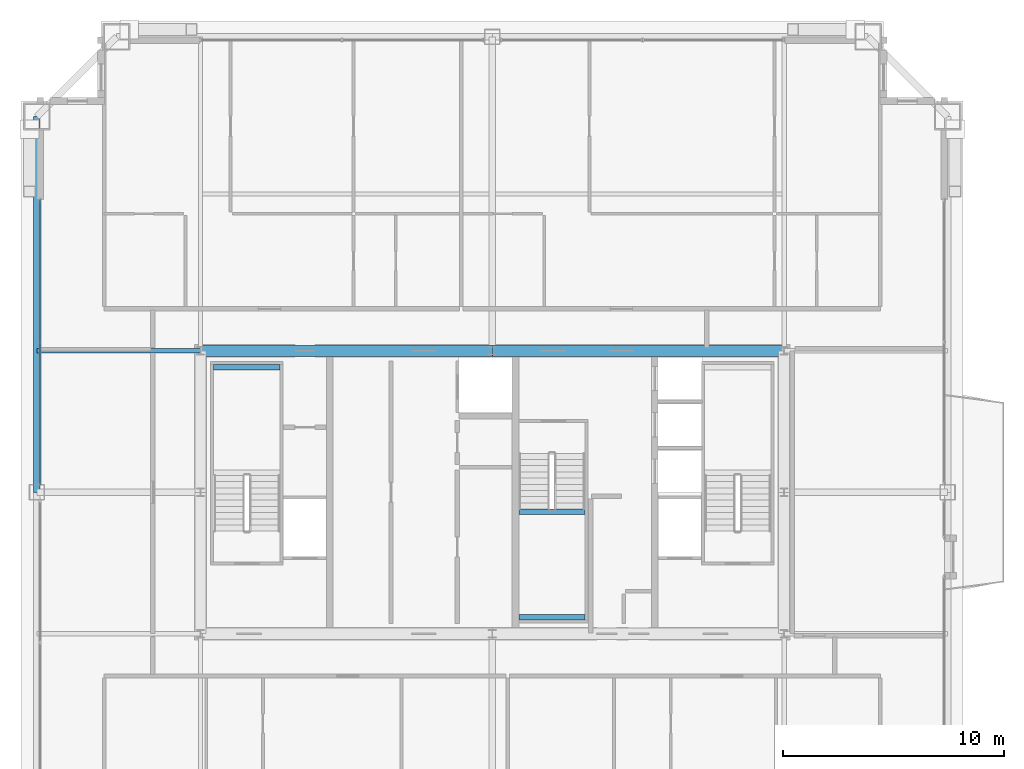
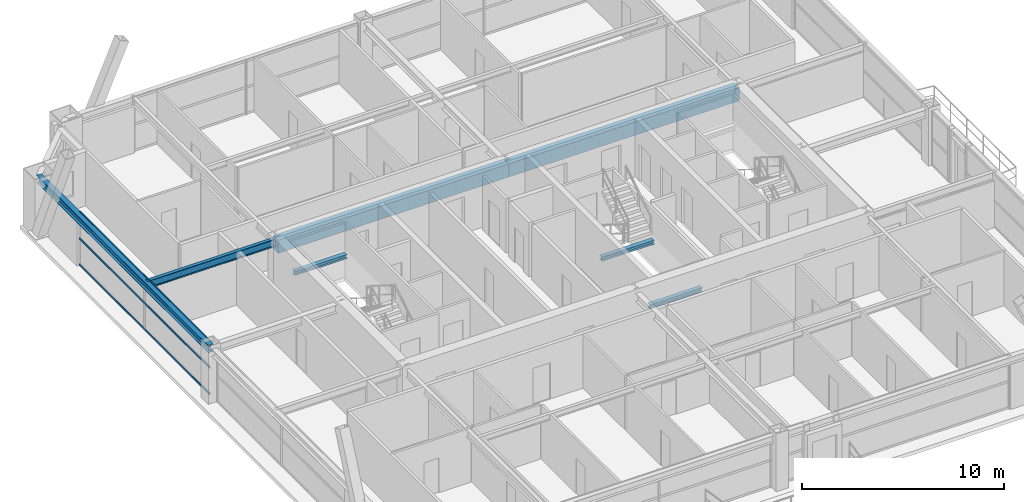
# One storey, part 14 of 37: 7 beams, 3 members, 1 element without a shape of its own.
"""IFC4 building model written with IfcOpenShell, lengths in metres."""

from ifc_helpers import new_model, si_unit, direction, frame, origin, origin_2d, place, context, subcontext, project, spatial, rectangle, hollow_rectangle, i_section, extrude, source, transform, mapped, material, layer, layer_set, material_profile, profile_set, type_object, element, aggregate, save


model = new_model("IFC4")

# Units and contexts
model_context = context("Model", 3, precision=1e-05, world=origin(), true_north=direction((0.0, 1.0)))
body_context = subcontext(model_context, "Body", "Model", "MODEL_VIEW")
ifc_project = project(units=[si_unit("LENGTHUNIT", "METRE"), si_unit("AREAUNIT", "SQUARE_METRE"), si_unit("VOLUMEUNIT", "CUBIC_METRE"), si_unit("PLANEANGLEUNIT", "RADIAN"), si_unit("MASSUNIT", "GRAM", prefix="KILO"), si_unit("THERMODYNAMICTEMPERATUREUNIT", "KELVIN"), si_unit("POWERUNIT", "WATT")], contexts=[model_context])

# Site, building, storey
site_placement = place(None, origin())
site = spatial("IfcSite", under=ifc_project, at=site_placement, CompositionType="ELEMENT")
building_placement = place(site_placement, origin())
building = spatial("IfcBuilding", under=site, at=building_placement, Name="Yuzanri Waterfront Tower", CompositionType="ELEMENT")
storey_placement = place(building_placement, frame((0.0, 0.0, 278.60009765625)))
storey = spatial("IfcBuildingStorey", under=building, at=storey_placement, Name="L74", CompositionType="ELEMENT", Elevation=278.60009765625)

# Beams
ifc_material_1 = material(Name="Concrete C50", Category="concrete")
ifc_material_profile_1 = material_profile(ifc_material_1, rectangle(XDim=0.5, YDim=0.800048828125, at=origin_2d()), Name="RC 500x800")
ifc_profile_set_1 = profile_set([ifc_material_profile_1], Name="Concrete C50")
beam_type_1 = type_object("IfcBeamType", Name="Core Coupling Lintel Concrete C50 500x800", PredefinedType="LINTEL", material=ifc_profile_set_1)
shared_shape_1 = source(origin(), body_context, "Body", "SweptSolid", [
    extrude(rectangle(XDim=0.5, YDim=0.800048828125, at=origin_2d()), origin(), (0.0, 0.0, 1.0), 13.199951171875),
])
for number, where, z_axis, x_axis, name in (
    (1, (23.800048828125, 32.199951171875, 2.8798828125), (1.0, 0.0, 0.0), (0.0, 1.0, 0.0), "L74 Core Tie Beam CN1"),
    (2, (37.0, 32.199951171875, 2.8798828125), (1.0, 0.0, 0.0), (0.0, 1.0, 0.0), "L74 Core Tie Beam CN2"),
):
    element("IfcBeam", number, at=place(storey_placement, frame(where, z_axis=z_axis, x_axis=x_axis)), inside=storey, type_object=beam_type_1, Name=name, PredefinedType="LINTEL", context=body_context, shape_type="MappedRepresentation", body=[
        mapped(shared_shape_1, transform((0.0, 0.0, 0.0), scale=1.0)),
    ])
ifc_material_2 = material(Name="Steel Q355B", Category="steel")
ifc_material_profile_2 = material_profile(ifc_material_2, i_section(OverallWidth=0.300048828125, OverallDepth=0.43994140625, WebThickness=0.010986328125, FlangeThickness=0.01806640625, at=origin_2d()), Name="HM 440x300x11x18")
ifc_profile_set_2 = profile_set([ifc_material_profile_2], Name="Steel Q355B")
beam_type_2 = type_object("IfcBeamType", Name="Perimeter Spandrel Q355B HM 440x300", PredefinedType="SPANDREL", material=ifc_profile_set_2)
shared_shape_2 = source(origin(), body_context, "Body", "SweptSolid", [
    extrude(i_section(OverallWidth=0.300048828125, OverallDepth=0.43994140625, WebThickness=0.010986328125, FlangeThickness=0.01806640625, at=origin_2d()), origin(), (0.0, 0.0, 1.0), 17.0),
])
beam_1_placement = place(storey_placement, frame((16.39990234375, 42.800048828125, 3.059814453125), z_axis=(0.0, -1.0, 0.0), x_axis=(1.0, 0.0, 0.0)))
element("IfcBeam", 3, at=beam_1_placement, inside=storey, type_object=beam_type_2, Name="L74 Perimeter Spandrel W3-W2", PredefinedType="SPANDREL", context=body_context, shape_type="MappedRepresentation", body=[
    mapped(shared_shape_2, transform((0.0, 0.0, 0.0), scale=1.0)),
])
ifc_material_3 = material(Name="Steel Q355B", Category="steel")
ifc_material_profile_3 = material_profile(ifc_material_3, i_section(OverallWidth=0.199951171875, OverallDepth=0.449951171875, WebThickness=0.009033203125, FlangeThickness=0.013916015625, at=origin_2d()), Name="HN 450x200x9x14")
ifc_profile_set_3 = profile_set([ifc_material_profile_3], Name="Steel Q355B")
beam_type_3 = type_object("IfcBeamType", Name="Secondary Floor Beam Q355B HN 450x200", PredefinedType="BEAM", material=ifc_profile_set_3)
shared_shape_3 = source(origin(), body_context, "Body", "SweptSolid", [
    extrude(i_section(OverallWidth=0.199951171875, OverallDepth=0.449951171875, WebThickness=0.009033203125, FlangeThickness=0.013916015625, at=origin_2d()), origin(), (0.0, 0.0, 1.0), 7.400146484375),
])
beam_2_placement = place(storey_placement, frame((23.800048828125, 32.199951171875, 3.054931640625), z_axis=(-1.0, 0.0, 0.0), x_axis=(0.0, -1.0, 0.0)))
element("IfcBeam", 4, at=beam_2_placement, inside=storey, type_object=beam_type_3, Name="L74 West-North Core Line Beam", PredefinedType="BEAM", context=body_context, shape_type="MappedRepresentation", body=[
    mapped(shared_shape_3, transform((0.0, 0.0, 0.0), scale=1.0)),
])

# Curtain wall, members
ifc_material_4 = material(Name="Anodized Architectural Bronze", Category="metal")
ifc_layer = layer(ifc_material_4, 0.159912109375)
ifc_layer_set = layer_set([ifc_layer], Name="Anodized Architectural Bronze")
curtain_wall_type = type_object("IfcCurtainWallType", Name="Anodized Bronze Mid-Rise Residential Acoustic Unitized Curtain Wall 7200", PredefinedType="NOTDEFINED", material=ifc_layer_set)
curtain_wall_placement = place(storey_placement, origin())
curtain_wall = element("IfcCurtainWall", 5, at=curtain_wall_placement, inside=storey, type_object=curtain_wall_type, Name="L74 Curtain Wall CW-L74-WR", PredefinedType="NOTDEFINED")
ifc_material_5 = material(Name="Anodized Architectural Bronze", Category="metal")
ifc_material_profile_4 = material_profile(ifc_material_5, hollow_rectangle(XDim=0.06494140625, YDim=0.1201171875, WallThickness=0.00341796875, at=origin_2d()), Name="CWT 65x120")
ifc_profile_set_4 = profile_set([ifc_material_profile_4], Name="Anodized Architectural Bronze")
member_type = type_object("IfcMemberType", Name="Anodized Bronze Secondary Curtain-Wall Transom 65x120", PredefinedType="USERDEFINED", material=ifc_profile_set_4)
shared_shape_4 = source(origin(), body_context, "Body", "SweptSolid", [
    extrude(hollow_rectangle(XDim=0.06494140625, YDim=0.1201171875, WallThickness=0.00341796875, at=origin_2d()), origin(), (0.0, 0.0, 1.0), 12.900146484375),
])
member_1_placement = place(storey_placement, frame((16.550048828125, 26.14990234375, 0.0498046875), z_axis=(0.0, 1.0, 0.0), x_axis=(-1.0, 0.0, 0.0)))
member_1 = element("IfcMember", 6, at=member_1_placement, type_object=member_type, Name="CW-L74-WR Transom 1", ObjectType="TRANSOM", PredefinedType="USERDEFINED", context=body_context, shape_type="MappedRepresentation", body=[
    mapped(shared_shape_4, transform((0.0, 0.0, 0.0), scale=1.0)),
])
member_2_placement = place(storey_placement, frame((16.550048828125, 26.14990234375, 1.639892578125), z_axis=(0.0, 1.0, 0.0), x_axis=(-1.0, 0.0, 0.0)))
member_2 = element("IfcMember", 7, at=member_2_placement, type_object=member_type, Name="CW-L74-WR Transom 2", ObjectType="TRANSOM", PredefinedType="USERDEFINED", context=body_context, shape_type="MappedRepresentation", body=[
    mapped(shared_shape_4, transform((0.0, 0.0, 0.0), scale=1.0)),
])
member_3_placement = place(storey_placement, frame((16.550048828125, 26.14990234375, 3.22998046875), z_axis=(0.0, 1.0, 0.0), x_axis=(-1.0, 0.0, 0.0)))
member_3 = element("IfcMember", 8, at=member_3_placement, type_object=member_type, Name="CW-L74-WR Transom 3", ObjectType="TRANSOM", PredefinedType="USERDEFINED", context=body_context, shape_type="MappedRepresentation", body=[
    mapped(shared_shape_4, transform((0.0, 0.0, 0.0), scale=1.0)),
])
aggregate(curtain_wall, [member_1, member_2, member_3])

# Beams
ifc_material_6 = material(Name="Steel Q355B", Category="steel")
ifc_material_profile_5 = material_profile(ifc_material_6, i_section(OverallWidth=0.25, OverallDepth=0.25, WebThickness=0.009033203125, FlangeThickness=0.013916015625, at=origin_2d()), Name="HW 250x250x9x14")
ifc_profile_set_5 = profile_set([ifc_material_profile_5], Name="Steel Q355B")
beam_type_4 = type_object("IfcBeamType", Name="Stair Landing Support Beam Q355B HW 250x250", PredefinedType="BEAM", material=ifc_profile_set_5)
shared_shape_5 = source(origin(), body_context, "Body", "SweptSolid", [
    extrude(i_section(OverallWidth=0.25, OverallDepth=0.25, WebThickness=0.009033203125, FlangeThickness=0.013916015625, at=origin_2d()), origin(), (0.0, 0.0, 1.0), 3.0),
])
for number, where, z_axis, x_axis, name in (
    (9, (24.39990234375, 31.449951171875, 1.4248046875), (1.0, 0.0, 0.0), (0.0, 1.0, 0.0), "L74 Stair Landing Support Beam ST-01-L74-L1-2"),
    (10, (38.199951171875, 20.14990234375, 1.4248046875), (1.0, 0.0, 0.0), (0.0, 1.0, 0.0), "L74 Stair Landing Support Beam ST-03-L74-L1-1"),
    (11, (38.199951171875, 24.909912109375, 1.4248046875), (1.0, 0.0, 0.0), (0.0, 1.0, 0.0), "L74 Stair Landing Support Beam ST-03-L74-L1-2"),
):
    element("IfcBeam", number, at=place(storey_placement, frame(where, z_axis=z_axis, x_axis=x_axis)), inside=storey, type_object=beam_type_4, Name=name, PredefinedType="BEAM", context=body_context, shape_type="MappedRepresentation", body=[
        mapped(shared_shape_5, transform((0.0, 0.0, 0.0), scale=1.0)),
    ])

save(model, "model.ifc")
